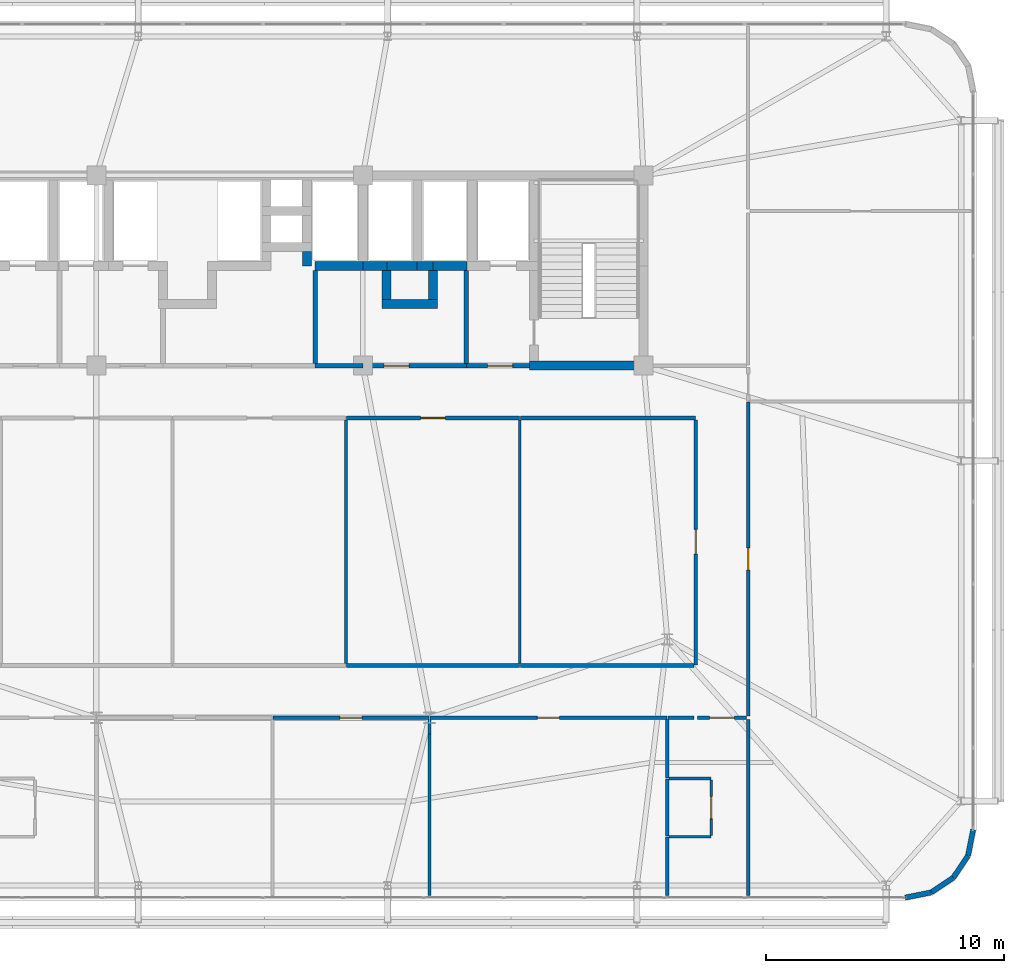
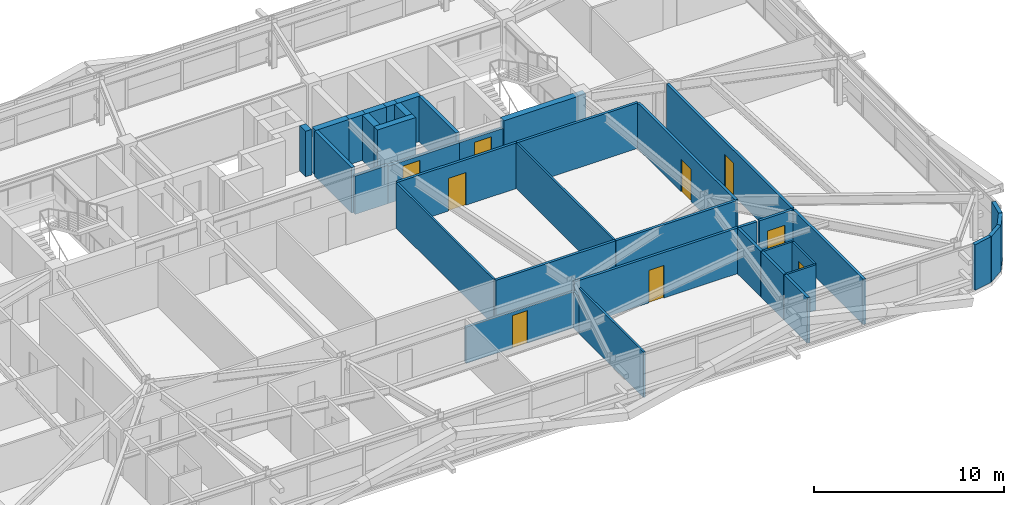
# One storey, part 54 of 58: 40 walls, 9 doors, 9 openings.
"""IFC4 building model written with IfcOpenShell, lengths in metres."""

import ifcopenshell
import ifcopenshell.guid

model = None  # the IFC model being written
_history = None  # IfcOwnerHistory: only IFC2X3 demands one
_inside = {}  # id of a spatial element -> (the spatial element, [elements in it])
_under = {}  # id of a project, library or spatial element -> (it, [spatial elements below it])
_declared = {}  # id of a project -> (the project, [libraries it declares])
_typed = {}  # id of a type object -> (the type object, [elements of that type])
_made_of = {}  # id of a material, layer set ... -> (it, [elements and type objects made of it])


def new_model(schema):
    """Start an empty IFC model of exactly this schema.

    Asked for "IFC4X3", IfcOpenShell would pick the latest addendum, in which some entities
    have other attributes; the version numbers below select the first issue.
    IFC2X3 requires an IfcOwnerHistory on every rooted entity: one is made here for all.
    """
    global model, _history
    if schema == "IFC4X3":
        model = ifcopenshell.file(schema_version=(4, 3, 0, 0))
    else:
        model = ifcopenshell.file(schema=schema)
    _inside.clear()
    _under.clear()
    _declared.clear()
    _typed.clear()
    _made_of.clear()
    _history = None
    if model.schema == "IFC2X3":
        org = make("IfcOrganization", Name="unknown")
        user = make(
            "IfcPersonAndOrganization",
            ThePerson=make("IfcPerson", FamilyName="unknown"),
            TheOrganization=org,
        )
        app = make(
            "IfcApplication",
            ApplicationDeveloper=org,
            Version="unknown",
            ApplicationFullName="unknown",
            ApplicationIdentifier="unknown",
        )
        _history = make(
            "IfcOwnerHistory",
            OwningUser=user,
            OwningApplication=app,
            ChangeAction="ADDED",
            CreationDate=0,
        )
    return model


def make(cls, **values):
    """One entity of the class cls with the attributes given. An attribute that is None is left unset."""
    return model.create_entity(
        cls, **{name: value for name, value in values.items() if value is not None}
    )


def rooted(cls, **values):
    """An entity with a GlobalId (a new one), such as an element, a storey or a relation."""
    return make(cls, GlobalId=ifcopenshell.guid.new(), OwnerHistory=_history, **values)


def si_unit(unit_type, name, prefix=None):
    """IfcSIUnit, for example si_unit("LENGTHUNIT", "METRE", prefix="MILLI")."""
    return make("IfcSIUnit", UnitType=unit_type, Prefix=prefix, Name=name)


def assignment(units):
    """IfcUnitAssignment: the units of a project."""
    return None if units is None else make("IfcUnitAssignment", Units=units)


def point(xyz):
    """IfcCartesianPoint."""
    return None if xyz is None else make("IfcCartesianPoint", Coordinates=xyz)


def direction(xyz):
    """IfcDirection."""
    return None if xyz is None else make("IfcDirection", DirectionRatios=xyz)


def frame(location, z_axis=None, x_axis=None):
    """IfcAxis2Placement3D, a coordinate frame: its origin and axes. An axis left out is left unset."""
    return make(
        "IfcAxis2Placement3D",
        Location=point(location),
        Axis=direction(z_axis),
        RefDirection=direction(x_axis),
    )


def frame_2d(location, x_axis=None):
    """IfcAxis2Placement2D, a coordinate frame in the plane: its origin and x axis."""
    return make(
        "IfcAxis2Placement2D", Location=point(location), RefDirection=direction(x_axis)
    )


def origin():
    """The frame at (0, 0, 0) with its axes left unset."""
    return frame((0.0, 0.0, 0.0))


def place(relative_to, where):
    """IfcLocalPlacement: puts the frame where relative to a parent placement (None: the world)."""
    return make(
        "IfcLocalPlacement", PlacementRelTo=relative_to, RelativePlacement=where
    )


def context(
    kind, dimensions, precision=None, world=None, true_north=None, identifier=None
):
    """IfcGeometricRepresentationContext, for example the 3D "Model" context."""
    return make(
        "IfcGeometricRepresentationContext",
        ContextIdentifier=identifier,
        ContextType=kind,
        CoordinateSpaceDimension=dimensions,
        Precision=precision,
        WorldCoordinateSystem=world,
        TrueNorth=true_north,
    )


def subcontext(parent, identifier, kind, view, scale=None):
    """IfcGeometricRepresentationSubContext, for example "Body" below "Model"."""
    return make(
        "IfcGeometricRepresentationSubContext",
        ContextIdentifier=identifier,
        ContextType=kind,
        ParentContext=parent,
        TargetScale=scale,
        TargetView=view,
    )


def project(units=None, contexts=None):
    """IfcProject with its units and contexts."""
    return rooted(
        "IfcProject",
        Name="project",
        RepresentationContexts=contexts,
        UnitsInContext=assignment(units),
    )


def spatial(cls, under=None, at=None, **own):
    """A site, building, storey or space (cls), placed at a placement, below another one or the project."""
    s = rooted(cls, ObjectPlacement=at, **own)
    if under is not None:
        _under.setdefault(under.id(), (under, []))[1].append(s)
    return s


def profile(cls, at=None, kind="AREA", **sizes):
    """A parametric profile (cls). Its sizes go by their IFC names, for example OverallWidth=200.0."""
    return make(cls, ProfileType=kind, Position=at, **sizes)


def rectangle(**sizes):
    """IfcRectangleProfileDef."""
    return profile("IfcRectangleProfileDef", **sizes)


def extrude(swept, where, along, depth):
    """IfcExtrudedAreaSolid: the profile swept, set in the frame where, extruded along a direction by depth."""
    return make(
        "IfcExtrudedAreaSolid",
        SweptArea=swept,
        Position=where,
        ExtrudedDirection=direction(along),
        Depth=depth,
    )


def shape(context_of_items, identifier, shape_type, items):
    """IfcShapeRepresentation: the items that make up one representation, for example the "Body"."""
    return make(
        "IfcShapeRepresentation",
        ContextOfItems=context_of_items,
        RepresentationIdentifier=identifier,
        RepresentationType=shape_type,
        Items=items,
    )


def source(mapping_origin, context_of_items, identifier, shape_type, items):
    """IfcRepresentationMap: a shape defined once, which mapped items show again and again."""
    return make(
        "IfcRepresentationMap",
        MappingOrigin=mapping_origin,
        MappedRepresentation=shape(context_of_items, identifier, shape_type, items),
    )


def transform(
    local_origin,
    x_axis=None,
    y_axis=None,
    z_axis=None,
    scale=None,
    scale2=None,
    scale3=None,
    uniform=True,
):
    """IfcCartesianTransformationOperator3D, or its non-uniform kind. x_axis, y_axis, z_axis: its Axis1, 2, 3."""
    if uniform:
        return make(
            "IfcCartesianTransformationOperator3D",
            Axis1=direction(x_axis),
            Axis2=direction(y_axis),
            LocalOrigin=point(local_origin),
            Scale=scale,
            Axis3=direction(z_axis),
        )
    return make(
        "IfcCartesianTransformationOperator3DnonUniform",
        Axis1=direction(x_axis),
        Axis2=direction(y_axis),
        LocalOrigin=point(local_origin),
        Scale=scale,
        Axis3=direction(z_axis),
        Scale2=scale2,
        Scale3=scale3,
    )


def mapped(mapping_source, mapping_target):
    """IfcMappedItem: shows the shape of a source again, moved by a transform."""
    return make(
        "IfcMappedItem", MappingSource=mapping_source, MappingTarget=mapping_target
    )


def material(Name=None, Category=None):
    """IfcMaterial."""
    return make("IfcMaterial", Name=Name, Category=Category)


def layer(
    of_material, thickness, ventilated=None, Name=None, Category=None, Priority=None
):
    """IfcMaterialLayer: one layer of a wall or slab, of a material (None: an air gap)."""
    return make(
        "IfcMaterialLayer",
        Material=of_material,
        LayerThickness=thickness,
        IsVentilated=ventilated,
        Name=Name,
        Category=Category,
        Priority=Priority,
    )


def layer_set(layers, Name=None):
    """IfcMaterialLayerSet."""
    return make("IfcMaterialLayerSet", MaterialLayers=layers, LayerSetName=Name)


def made_of(thing, what):
    """Note that an element or type object is made of a material, layer set ...; save() writes the relation."""
    if what is not None:
        _made_of.setdefault(what.id(), (what, []))[1].append(thing)
    return thing


def type_object(cls, material=None, **own):
    """A type object (cls), such as IfcWallType, which elements share."""
    return made_of(rooted(cls, **own), material)


def element(
    cls,
    number,
    at=None,
    inside=None,
    cuts=None,
    type_object=None,
    material=None,
    context=None,
    identifier="Body",
    shape_type=None,
    held_by="IfcProductDefinitionShape",
    body=None,
    shapes=None,
    **own,
):
    """One element of the class cls, such as IfcWall. Its Tag is "e" and its number.

    at: its placement. inside: the storey or other place that contains it. cuts: it is an
    opening in that element (IfcRelVoidsElement). A single representation is given by context,
    identifier, shape_type and body (its items); several are given by shapes. held_by: the class
    of the entity that holds the representations. save() writes the other relations.
    """
    e = rooted(cls, Tag="e%d" % number, ObjectPlacement=at, **own)
    if body is not None:
        shapes = [shape(context, identifier, shape_type, body)]
    if shapes is not None:
        e.Representation = make(held_by, Representations=shapes)
    if inside is not None:
        _inside.setdefault(inside.id(), (inside, []))[1].append(e)
    if cuts is not None:
        rooted(
            "IfcRelVoidsElement", RelatingBuildingElement=cuts, RelatedOpeningElement=e
        )
    if type_object is not None:
        _typed.setdefault(type_object.id(), (type_object, []))[1].append(e)
    return made_of(e, material)


def fill(opening, filler):
    """IfcRelFillsElement: the door or window that sits in an opening."""
    return rooted(
        "IfcRelFillsElement",
        RelatingOpeningElement=opening,
        RelatedBuildingElement=filler,
    )


def aggregate(whole, parts):
    """IfcRelAggregates: a whole, such as a stair, and the parts it consists of."""
    return rooted("IfcRelAggregates", RelatingObject=whole, RelatedObjects=parts)


def save(model, path):
    """Write the relations noted so far, then the file.

    IfcRelAggregates (storeys below a building ...), IfcRelContainedInSpatialStructure (elements
    in a storey), IfcRelDefinesByType, IfcRelAssociatesMaterial and IfcRelDeclares: one each for
    every whole, place, type object, material and project.
    """
    for whole, parts in _under.values():
        aggregate(whole, parts)
    for where, things in _inside.values():
        rooted(
            "IfcRelContainedInSpatialStructure",
            RelatedElements=things,
            RelatingStructure=where,
        )
    for kind, things in _typed.values():
        rooted("IfcRelDefinesByType", RelatedObjects=things, RelatingType=kind)
    for what, things in _made_of.values():
        rooted("IfcRelAssociatesMaterial", RelatedObjects=things, RelatingMaterial=what)
    for by, libraries in _declared.values():
        rooted("IfcRelDeclares", RelatingContext=by, RelatedDefinitions=libraries)
    model.write(path)


model = new_model("IFC4")

# Units and contexts
model_context = context("Model", 3, precision=1e-05, world=origin(), true_north=direction((0.0, 1.0)))
body_context = subcontext(model_context, "Body", "Model", "MODEL_VIEW")
ifc_project = project(units=[si_unit("LENGTHUNIT", "METRE"), si_unit("AREAUNIT", "SQUARE_METRE"), si_unit("VOLUMEUNIT", "CUBIC_METRE"), si_unit("PLANEANGLEUNIT", "RADIAN"), si_unit("MASSUNIT", "GRAM", prefix="KILO")], contexts=[model_context])

# Site, building, storey
site_placement = place(None, origin())
site = spatial("IfcSite", under=ifc_project, at=site_placement, CompositionType="ELEMENT")
building_placement = place(site_placement, origin())
building = spatial("IfcBuilding", under=site, at=building_placement, Name="Taldren Reach Tower", CompositionType="ELEMENT")
storey_placement = place(building_placement, frame((0.0, 0.0, 32.550048828125)))
storey = spatial("IfcBuildingStorey", under=building, at=storey_placement, Name="L09", CompositionType="ELEMENT", Elevation=32.550048828125)

# Walls
ifc_material_1 = material(Name="Pale Champagne Anodised Aluminium Cladding", Category="aluminium")
ifc_layer_1 = layer(ifc_material_1, 0.04, Name="Pale Champagne Anodised Aluminium Cladding", Category="aluminium")
ifc_material_2 = material(Name="Mineral Wool Acoustic Insulation", Category="insulation")
ifc_layer_2 = layer(ifc_material_2, 0.06, Name="Mineral Wool Acoustic Insulation", Category="insulation")
ifc_material_3 = material(Name="Steel Gr 350 (C350L0)", Category="steel")
ifc_layer_3 = layer(ifc_material_3, 0.12, Name="Steel Gr 350 (C350L0)", Category="steel")
ifc_layer_set_1 = layer_set([ifc_layer_1, ifc_layer_2, ifc_layer_3], Name="Pale Champagne Aluminium Cladding and Steel Gr 350 Stud Framing")
wall_type_1 = type_object("IfcWallType", Name="EW-CRN-220", PredefinedType="SOLIDWALL", material=ifc_layer_set_1)
shared_shape_1 = source(origin(), body_context, "Body", "SweptSolid", [
    extrude(rectangle(XDim=1.115966796875, YDim=0.219970703125, at=frame_2d((0.55810546875, 0.0))), origin(), (0.0, 0.0, 1.0), 2.929931640625),
])
for number, where, z_axis, x_axis, name in (
    (1, (62.0, 1.639892578125, 0.0), (0.0, 0.0, 1.0), (0.98077373103, 0.195148375659, 0.0), "Rounded-corner pale-metal facade wall L09-SE1"),
    (2, (63.094482421875, 1.857666015625, 0.0), (0.0, 0.0, 1.0), (0.83137650226, 0.555709556774, 0.0), "Rounded-corner pale-metal facade wall L09-SE2"),
    (3, (64.022216796875, 2.477783203125, 0.0), (0.0, 0.0, 1.0), (0.555709556774, 0.83137650226, 0.0), "Rounded-corner pale-metal facade wall L09-SE3"),
    (4, (64.642333984375, 3.405517578125, 0.0), (0.0, 0.0, 1.0), (0.195148375659, 0.98077373103, 0.0), "Rounded-corner pale-metal facade wall L09-SE4"),
):
    element("IfcWall", number, at=place(storey_placement, frame(where, z_axis=z_axis, x_axis=x_axis)), inside=storey, type_object=wall_type_1, Name=name, PredefinedType="SOLIDWALL", context=body_context, shape_type="MappedRepresentation", body=[
        mapped(shared_shape_1, transform((0.0, 0.0, 0.0), scale=1.0)),
    ])
ifc_material_4 = material(Name="Concrete S80 (80 MPa)", Category="concrete")
ifc_layer_4 = layer(ifc_material_4, 0.3798828125)
ifc_layer_set_2 = layer_set([ifc_layer_4], Name="Concrete S80 (80 MPa)")
wall_type_2 = type_object("IfcWallType", Name="IW-CORE-380", PredefinedType="SHEAR", material=ifc_layer_set_2)
shared_shape_2 = source(origin(), body_context, "Body", "SweptSolid", [
    extrude(rectangle(XDim=4.97998046875, YDim=0.3798828125, at=frame_2d((2.489990234375, 0.0))), origin(), (0.0, 0.0, 1.0), 2.929931640625),
])
wall_1_placement = place(storey_placement, frame((46.2099609375, 24.0, 0.0), z_axis=(0.0, 0.0, 1.0), x_axis=(1.0, 0.0, 0.0)))
element("IfcWall", 5, at=wall_1_placement, inside=storey, type_object=wall_type_2, Name="Rear Core Shear Wall W-INT-L09-010", PredefinedType="SHEAR", context=body_context, shape_type="MappedRepresentation", body=[
    mapped(shared_shape_2, transform((0.0, 0.0, 0.0), scale=1.0)),
])
ifc_material_5 = material(Name="Concrete S50 (50 MPa)", Category="concrete")
ifc_layer_5 = layer(ifc_material_5, 0.199951171875)
ifc_layer_set_3 = layer_set([ifc_layer_5], Name="Concrete S50 (50 MPa)")
wall_type_3 = type_object("IfcWallType", Name="IW-CORE-200", PredefinedType="SOLIDWALL", material=ifc_layer_set_3)
shared_shape_3 = source(origin(), body_context, "Body", "SweptSolid", [
    extrude(rectangle(XDim=3.909912109375, YDim=0.199951171875, at=frame_2d((1.955078125, 0.0))), origin(), (0.0, 0.0, 1.0), 2.929931640625),
])
for number, where, z_axis, x_axis, name in (
    (6, (43.550048828125, 28.010009765625, 0.0), (0.0, 0.0, 1.0), (0.0, -1.0, 0.0), "Rear Core Shear Wall W-INT-L09-013"),
    (7, (37.199951171875, 28.010009765625, 0.0), (0.0, 0.0, 1.0), (0.0, -1.0, 0.0), "Rear Core Shear Wall W-INT-L09-042"),
):
    element("IfcWall", number, at=place(storey_placement, frame(where, z_axis=z_axis, x_axis=x_axis)), inside=storey, type_object=wall_type_3, Name=name, PredefinedType="SOLIDWALL", context=body_context, shape_type="MappedRepresentation", body=[
        mapped(shared_shape_3, transform((0.0, 0.0, 0.0), scale=1.0)),
    ])

# Wall, opening, door
shared_shape_4 = source(origin(), body_context, "Body", "SweptSolid", [
    extrude(rectangle(XDim=2.659912109375, YDim=0.199951171875, at=frame_2d((1.330078125, 0.0))), origin(), (0.0, 0.0, 1.0), 2.39697265625),
])
wall_2_placement = place(storey_placement, frame((43.550048828125, 24.0, 0.0), z_axis=(0.0, 0.0, 1.0), x_axis=(1.0, 0.0, 0.0)))
wall_2 = element("IfcWall", 8, at=wall_2_placement, inside=storey, type_object=wall_type_3, Name="Rear Core Shear Wall W-INT-L09-014", PredefinedType="SOLIDWALL", context=body_context, shape_type="MappedRepresentation", body=[
    mapped(shared_shape_4, transform((0.0, 0.0, 0.0), scale=1.0)),
])
shared_shape_5 = source(origin(), body_context, "Body", "SweptSolid", [
    extrude(rectangle(XDim=1.050048828125, YDim=2.10009765625, at=frame_2d((0.52490234375, 1.050048828125))), frame((0.0, 0.10986328125, 0.0), z_axis=(0.0, -1.0, 0.0), x_axis=(1.0, 0.0, 0.0)), (0.0, 0.0, 1.0), 0.219970703125),
])
opening_1_placement = place(wall_2_placement, frame((0.89990234375, 0.0, 0.0)))
opening_1 = element("IfcOpeningElement", 9, at=opening_1_placement, cuts=wall_2, Name="Opening DF-105", PredefinedType="OPENING", context=body_context, shape_type="MappedRepresentation", body=[
    mapped(shared_shape_5, transform((0.0, 0.0, 0.0), scale=1.0)),
])
ifc_material_6 = material(Name="Fire-Rated Care and Stair Exit Door")
door_type_1 = type_object("IfcDoorType", Name="ID-FIRE-105", OperationType="NOTDEFINED", PredefinedType="DOOR", material=ifc_material_6)
shared_shape_6 = source(origin(), body_context, "Body", "SweptSolid", [
    extrude(rectangle(XDim=1.050048828125, YDim=2.10009765625, at=frame_2d((0.52490234375, 1.050048828125))), frame((0.0, 0.02490234375, 0.0), z_axis=(0.0, -1.0, 0.0), x_axis=(1.0, 0.0, 0.0)), (0.0, 0.0, 1.0), 0.050048828125),
])
door_1_placement = place(opening_1_placement, origin())
door_1 = element("IfcDoor", 10, at=door_1_placement, inside=storey, type_object=door_type_1, Name="Interior Door DR-L09-004", OperationType="SINGLE_SWING_LEFT", OverallHeight=2.10009765625, OverallWidth=1.050048828125, PredefinedType="DOOR", context=body_context, shape_type="MappedRepresentation", body=[
    mapped(shared_shape_6, transform((0.0, 0.0, 0.0), scale=1.0)),
])
fill(opening_1, door_1)

# Walls
shared_shape_7 = source(origin(), body_context, "Body", "SweptSolid", [
    extrude(rectangle(XDim=1.219970703125, YDim=0.3798828125, at=frame_2d((0.60986328125, 0.0))), origin(), (0.0, 0.0, 1.0), 2.929931640625),
])
for number, where, z_axis, x_axis, name in (
    (11, (40.199951171875, 28.010009765625, 0.0), (0.0, 0.0, 1.0), (0.0, -1.0, 0.0), "Rear Core Shear Wall W-INT-L09-027"),
    (12, (42.14990234375, 26.7900390625, 0.0), (0.0, 0.0, 1.0), (0.0, 1.0, 0.0), "Rear Core Shear Wall W-INT-L09-028"),
):
    element("IfcWall", number, at=place(storey_placement, frame(where, z_axis=z_axis, x_axis=x_axis)), inside=storey, type_object=wall_type_2, Name=name, PredefinedType="SHEAR", context=body_context, shape_type="MappedRepresentation", body=[
        mapped(shared_shape_7, transform((0.0, 0.0, 0.0), scale=1.0)),
    ])
shared_shape_8 = source(origin(), body_context, "Body", "SweptSolid", [
    extrude(rectangle(XDim=1.320068359375, YDim=0.3798828125, at=frame_2d((0.66015625, 0.0))), origin(), (0.0, 0.0, 1.0), 2.929931640625),
])
wall_3_placement = place(storey_placement, frame((41.52001953125, 28.199951171875, 0.0), z_axis=(0.0, 0.0, 1.0), x_axis=(-1.0, 0.0, 0.0)))
element("IfcWall", 13, at=wall_3_placement, inside=storey, type_object=wall_type_2, Name="Rear Core Shear Wall W-INT-L09-024", PredefinedType="SHEAR", context=body_context, shape_type="MappedRepresentation", body=[
    mapped(shared_shape_8, transform((0.0, 0.0, 0.0), scale=1.0)),
])
shared_shape_9 = source(origin(), body_context, "Body", "SweptSolid", [
    extrude(rectangle(XDim=0.669921875, YDim=0.3798828125, at=frame_2d((0.3349609375, 0.0))), origin(), (0.0, 0.0, 1.0), 2.929931640625),
])
wall_4_placement = place(storey_placement, frame((42.14990234375, 28.199951171875, 0.0), z_axis=(0.0, 0.0, 1.0), x_axis=(-1.0, 0.0, 0.0)))
element("IfcWall", 14, at=wall_4_placement, inside=storey, type_object=wall_type_2, Name="Rear Core Shear Wall W-INT-L09-025", PredefinedType="SHEAR", context=body_context, shape_type="MappedRepresentation", body=[
    mapped(shared_shape_9, transform((0.0, 0.0, 0.0), scale=1.0)),
])
shared_shape_10 = source(origin(), body_context, "Body", "SweptSolid", [
    extrude(rectangle(XDim=2.330078125, YDim=0.3798828125, at=frame_2d((1.1650390625, 0.0))), origin(), (0.0, 0.0, 1.0), 2.929931640625),
])
wall_5_placement = place(storey_placement, frame((40.010009765625, 26.60009765625, 0.0), z_axis=(0.0, 0.0, 1.0), x_axis=(1.0, 0.0, 0.0)))
element("IfcWall", 15, at=wall_5_placement, inside=storey, type_object=wall_type_2, Name="Rear Core Shear Wall W-INT-L09-026", PredefinedType="SHEAR", context=body_context, shape_type="MappedRepresentation", body=[
    mapped(shared_shape_10, transform((0.0, 0.0, 0.0), scale=1.0)),
])
shared_shape_11 = source(origin(), body_context, "Body", "SweptSolid", [
    extrude(rectangle(XDim=0.610107421875, YDim=0.3798828125, at=frame_2d((0.30517578125, 0.0))), origin(), (0.0, 0.0, 1.0), 2.929931640625),
])
wall_6_placement = place(storey_placement, frame((36.85009765625, 28.81005859375, 0.0), z_axis=(0.0, 0.0, 1.0), x_axis=(0.0, -1.0, 0.0)))
element("IfcWall", 16, at=wall_6_placement, inside=storey, type_object=wall_type_2, Name="Rear Core Shear Wall W-INT-L09-037", PredefinedType="SHEAR", context=body_context, shape_type="MappedRepresentation", body=[
    mapped(shared_shape_11, transform((0.0, 0.0, 0.0), scale=1.0)),
])
shared_shape_12 = source(origin(), body_context, "Body", "SweptSolid", [
    extrude(rectangle(XDim=2.02001953125, YDim=0.3798828125, at=frame_2d((1.010009765625, 0.0))), origin(), (0.0, 0.0, 1.0), 2.929931640625),
])
wall_7_placement = place(storey_placement, frame((37.179931640625, 28.199951171875, 0.0), z_axis=(0.0, 0.0, 1.0), x_axis=(1.0, 0.0, 0.0)))
element("IfcWall", 17, at=wall_7_placement, inside=storey, type_object=wall_type_2, Name="Rear Core Shear Wall W-INT-L09-038", PredefinedType="SHEAR", context=body_context, shape_type="MappedRepresentation", body=[
    mapped(shared_shape_12, transform((0.0, 0.0, 0.0), scale=1.0)),
])
shared_shape_13 = source(origin(), body_context, "Body", "SweptSolid", [
    extrude(rectangle(XDim=1.02001953125, YDim=0.3798828125, at=frame_2d((0.510009765625, 0.0))), origin(), (0.0, 0.0, 1.0), 2.929931640625),
])
wall_8_placement = place(storey_placement, frame((39.199951171875, 28.199951171875, 0.0), z_axis=(0.0, 0.0, 1.0), x_axis=(1.0, 0.0, 0.0)))
element("IfcWall", 18, at=wall_8_placement, inside=storey, type_object=wall_type_2, Name="Rear Core Shear Wall W-INT-L09-040", PredefinedType="SHEAR", context=body_context, shape_type="MappedRepresentation", body=[
    mapped(shared_shape_13, transform((0.0, 0.0, 0.0), scale=1.0)),
])
shared_shape_14 = source(origin(), body_context, "Body", "SweptSolid", [
    extrude(rectangle(XDim=1.440185546875, YDim=0.3798828125, at=frame_2d((0.72021484375, 0.0))), origin(), (0.0, 0.0, 1.0), 2.929931640625),
])
wall_9_placement = place(storey_placement, frame((42.1298828125, 28.199951171875, 0.0), z_axis=(0.0, 0.0, 1.0), x_axis=(1.0, 0.0, 0.0)))
element("IfcWall", 19, at=wall_9_placement, inside=storey, type_object=wall_type_2, Name="Rear Core Shear Wall W-INT-L09-041", PredefinedType="SHEAR", context=body_context, shape_type="MappedRepresentation", body=[
    mapped(shared_shape_14, transform((0.0, 0.0, 0.0), scale=1.0)),
])

# Wall, opening, door
shared_shape_15 = source(origin(), body_context, "Body", "SweptSolid", [
    extrude(rectangle(XDim=4.35009765625, YDim=0.199951171875, at=frame_2d((2.175048828125, 0.0))), origin(), (0.0, 0.0, 1.0), 2.39697265625),
])
wall_10_placement = place(storey_placement, frame((43.550048828125, 24.0, 0.0), z_axis=(0.0, 0.0, 1.0), x_axis=(-1.0, 0.0, 0.0)))
wall_10 = element("IfcWall", 20, at=wall_10_placement, inside=storey, type_object=wall_type_3, Name="Rear Core Shear Wall W-INT-L09-044", PredefinedType="SOLIDWALL", context=body_context, shape_type="MappedRepresentation", body=[
    mapped(shared_shape_15, transform((0.0, 0.0, 0.0), scale=1.0)),
])
opening_2_placement = place(wall_10_placement, frame((2.39990234375, 0.0, 0.0)))
opening_2 = element("IfcOpeningElement", 21, at=opening_2_placement, cuts=wall_10, Name="Opening DF-105", PredefinedType="OPENING", context=body_context, shape_type="MappedRepresentation", body=[
    mapped(shared_shape_5, transform((0.0, 0.0, 0.0), scale=1.0)),
])
door_2_placement = place(opening_2_placement, frame((1.050048828125, 0.0, 0.0), z_axis=(0.0, 0.0, 1.0), x_axis=(-1.0, 0.0, 0.0)))
door_2 = element("IfcDoor", 22, at=door_2_placement, inside=storey, type_object=door_type_1, Name="Interior Door DR-L09-007", OperationType="SINGLE_SWING_RIGHT", OverallHeight=2.10009765625, OverallWidth=1.050048828125, PredefinedType="DOOR", context=body_context, shape_type="MappedRepresentation", body=[
    mapped(shared_shape_6, transform((0.0, 0.0, 0.0), scale=1.0)),
])
fill(opening_2, door_2)

# Wall
shared_shape_16 = source(origin(), body_context, "Body", "SweptSolid", [
    extrude(rectangle(XDim=2.0, YDim=0.199951171875, at=frame_2d((1.0, 0.0))), origin(), (0.0, 0.0, 1.0), 2.469970703125),
])
wall_11_placement = place(storey_placement, frame((39.199951171875, 24.0, 0.0), z_axis=(0.0, 0.0, 1.0), x_axis=(-1.0, 0.0, 0.0)))
element("IfcWall", 23, at=wall_11_placement, inside=storey, type_object=wall_type_3, Name="Rear Core Shear Wall W-INT-L09-044 part 2", PredefinedType="SOLIDWALL", context=body_context, shape_type="MappedRepresentation", body=[
    mapped(shared_shape_16, transform((0.0, 0.0, 0.0), scale=1.0)),
])

# Wall, opening, door
ifc_material_7 = material(Name="Fire-Rated Acoustic Plasterboard Stud Wall", Category="gypsum")
ifc_layer_6 = layer(ifc_material_7, 0.159912109375)
ifc_layer_set_4 = layer_set([ifc_layer_6], Name="Fire-Rated Acoustic Plasterboard Stud Wall")
wall_type_4 = type_object("IfcWallType", Name="IW-FIRE-160", PredefinedType="PARTITIONING", material=ifc_layer_set_4)
shared_shape_17 = source(origin(), body_context, "Body", "SweptSolid", [
    extrude(rectangle(XDim=10.2998046875, YDim=0.159912109375, at=frame_2d((5.14990234375, 0.0))), origin(), (0.0, 0.0, 1.0), 2.929931640625),
])
wall_12_placement = place(storey_placement, frame((53.199951171875, 11.420166015625, 0.0), z_axis=(0.0, 0.0, 1.0), x_axis=(0.0, 1.0, 0.0)))
wall_12 = element("IfcWall", 24, at=wall_12_placement, inside=storey, type_object=wall_type_4, Name="Interior Partition Wall W-INT-L09-050", PredefinedType="PARTITIONING", context=body_context, shape_type="MappedRepresentation", body=[
    mapped(shared_shape_17, transform((0.0, 0.0, 0.0), scale=1.0)),
])
shared_shape_18 = source(origin(), body_context, "Body", "SweptSolid", [
    extrude(rectangle(XDim=1.050048828125, YDim=2.10009765625, at=frame_2d((0.52490234375, 1.050048828125))), frame((0.0, 0.08984375, 0.0), z_axis=(0.0, -1.0, 0.0), x_axis=(1.0, 0.0, 0.0)), (0.0, 0.0, 1.0), 0.179931640625),
])
opening_3_placement = place(wall_12_placement, frame((4.65478515625, 0.0, 0.0)))
opening_3 = element("IfcOpeningElement", 25, at=opening_3_placement, cuts=wall_12, Name="Opening DF-105", PredefinedType="OPENING", context=body_context, shape_type="MappedRepresentation", body=[
    mapped(shared_shape_18, transform((0.0, 0.0, 0.0), scale=1.0)),
])
door_3_placement = place(opening_3_placement, origin())
door_3 = element("IfcDoor", 26, at=door_3_placement, inside=storey, type_object=door_type_1, Name="Interior Door DR-L09-012", OperationType="SINGLE_SWING_LEFT", OverallHeight=2.10009765625, OverallWidth=1.050048828125, PredefinedType="DOOR", context=body_context, shape_type="MappedRepresentation", body=[
    mapped(shared_shape_6, transform((0.0, 0.0, 0.0), scale=1.0)),
])
fill(opening_3, door_3)

shared_shape_19 = source(origin(), body_context, "Body", "SweptSolid", [
    extrude(rectangle(XDim=2.0400390625, YDim=0.159912109375, at=frame_2d((1.02001953125, 0.0))), origin(), (0.0, 0.0, 1.0), 2.929931640625),
])
wall_13_placement = place(storey_placement, frame((55.320068359375, 9.199951171875, 0.0), z_axis=(0.0, 0.0, 1.0), x_axis=(-1.0, 0.0, 0.0)))
wall_13 = element("IfcWall", 27, at=wall_13_placement, inside=storey, type_object=wall_type_4, Name="Interior Partition Wall W-INT-L09-053", PredefinedType="PARTITIONING", context=body_context, shape_type="MappedRepresentation", body=[
    mapped(shared_shape_19, transform((0.0, 0.0, 0.0), scale=1.0)),
])
opening_4_placement = place(wall_13_placement, frame((0.4951171875, 0.0, 0.0)))
opening_4 = element("IfcOpeningElement", 28, at=opening_4_placement, cuts=wall_13, Name="Opening DF-105", PredefinedType="OPENING", context=body_context, shape_type="MappedRepresentation", body=[
    mapped(shared_shape_18, transform((0.0, 0.0, 0.0), scale=1.0)),
])
door_4_placement = place(opening_4_placement, origin())
door_4 = element("IfcDoor", 29, at=door_4_placement, inside=storey, type_object=door_type_1, Name="Interior Door DR-L09-014", OperationType="SINGLE_SWING_LEFT", OverallHeight=2.10009765625, OverallWidth=1.050048828125, PredefinedType="DOOR", context=body_context, shape_type="MappedRepresentation", body=[
    mapped(shared_shape_6, transform((0.0, 0.0, 0.0), scale=1.0)),
])
fill(opening_4, door_4)

# Wall
shared_shape_20 = source(origin(), body_context, "Body", "SweptSolid", [
    extrude(rectangle(XDim=1.099853515625, YDim=0.159912109375, at=frame_2d((0.5498046875, 0.0))), origin(), (0.0, 0.0, 1.0), 2.929931640625),
])
wall_14_placement = place(storey_placement, frame((53.1201171875, 9.199951171875, 0.0), z_axis=(0.0, 0.0, 1.0), x_axis=(-1.0, 0.0, 0.0)))
element("IfcWall", 30, at=wall_14_placement, inside=storey, type_object=wall_type_4, Name="Interior Partition Wall W-INT-L09-073", PredefinedType="PARTITIONING", context=body_context, shape_type="MappedRepresentation", body=[
    mapped(shared_shape_20, transform((0.0, 0.0, 0.0), scale=1.0)),
])

# Wall, opening, door
ifc_material_8 = material(Name="Insulated Residential Stud Partition", Category="gypsum")
ifc_layer_7 = layer(ifc_material_8, 0.1201171875)
ifc_layer_set_5 = layer_set([ifc_layer_7], Name="Insulated Residential Stud Partition")
wall_type_5 = type_object("IfcWallType", Name="IW-PART-120", PredefinedType="PARTITIONING", material=ifc_layer_set_5)
shared_shape_21 = source(origin(), body_context, "Body", "SweptSolid", [
    extrude(rectangle(XDim=2.330078125, YDim=0.1201171875, at=frame_2d((1.1650390625, 0.0))), origin(), (0.0, 0.0, 1.0), 2.929931640625),
])
wall_15_placement = place(storey_placement, frame((53.85009765625, 4.260009765625, 0.0), z_axis=(0.0, 0.0, 1.0), x_axis=(0.0, 1.0, 0.0)))
wall_15 = element("IfcWall", 31, at=wall_15_placement, inside=storey, type_object=wall_type_5, Name="Interior Partition Wall W-INT-L09-097", PredefinedType="PARTITIONING", context=body_context, shape_type="MappedRepresentation", body=[
    mapped(shared_shape_21, transform((0.0, 0.0, 0.0), scale=1.0)),
])
shared_shape_22 = source(origin(), body_context, "Body", "SweptSolid", [
    extrude(rectangle(XDim=0.919921875, YDim=2.10009765625, at=frame_2d((0.4599609375, 1.050048828125))), frame((0.0, 0.070068359375, 0.0), z_axis=(0.0, -1.0, 0.0), x_axis=(1.0, 0.0, 0.0)), (0.0, 0.0, 1.0), 0.14013671875),
])
opening_5_placement = place(wall_15_placement, frame((0.705078125, 0.0, 0.0)))
opening_5 = element("IfcOpeningElement", 32, at=opening_5_placement, cuts=wall_15, Name="Opening DI-092", PredefinedType="OPENING", context=body_context, shape_type="MappedRepresentation", body=[
    mapped(shared_shape_22, transform((0.0, 0.0, 0.0), scale=1.0)),
])
ifc_material_9 = material(Name="Solid-Core Timber Suite Door", Category="wood")
door_type_2 = type_object("IfcDoorType", Name="ID-INT-092", OperationType="NOTDEFINED", PredefinedType="DOOR", material=ifc_material_9)
shared_shape_23 = source(origin(), body_context, "Body", "SweptSolid", [
    extrude(rectangle(XDim=0.919921875, YDim=2.10009765625, at=frame_2d((0.4599609375, 1.050048828125))), frame((0.0, 0.02490234375, 0.0), z_axis=(0.0, -1.0, 0.0), x_axis=(1.0, 0.0, 0.0)), (0.0, 0.0, 1.0), 0.050048828125),
])
door_5_placement = place(opening_5_placement, origin())
door_5 = element("IfcDoor", 33, at=door_5_placement, inside=storey, type_object=door_type_2, Name="Interior Door DR-L09-029", OperationType="SINGLE_SWING_RIGHT", OverallHeight=2.10009765625, OverallWidth=0.919921875, PredefinedType="DOOR", context=body_context, shape_type="MappedRepresentation", body=[
    mapped(shared_shape_23, transform((0.0, 0.0, 0.0), scale=1.0)),
])
fill(opening_5, door_5)

# Walls
shared_shape_24 = source(origin(), body_context, "Body", "SweptSolid", [
    extrude(rectangle(XDim=1.749755859375, YDim=0.1201171875, at=frame_2d((0.875, 0.0))), origin(), (0.0, 0.0, 1.0), 2.929931640625),
])
for number, where, z_axis, x_axis, name in (
    (34, (52.080078125, 4.199951171875, 0.0), (0.0, 0.0, 1.0), (1.0, 0.0, 0.0), "Interior Partition Wall W-INT-L09-098"),
    (35, (53.829833984375, 6.64990234375, 0.0), (0.0, 0.0, 1.0), (-1.0, 0.0, 0.0), "Interior Partition Wall W-INT-L09-099"),
):
    element("IfcWall", number, at=place(storey_placement, frame(where, z_axis=z_axis, x_axis=x_axis)), inside=storey, type_object=wall_type_5, Name=name, PredefinedType="PARTITIONING", context=body_context, shape_type="MappedRepresentation", body=[
        mapped(shared_shape_24, transform((0.0, 0.0, 0.0), scale=1.0)),
    ])
shared_shape_25 = source(origin(), body_context, "Body", "SweptSolid", [
    extrude(rectangle(XDim=2.40966796875, YDim=0.159912109375, at=frame_2d((1.204833984375, 0.0))), origin(), (0.0, 0.0, 1.0), 2.929931640625),
])
wall_16_placement = place(storey_placement, frame((52.0, 6.6298828125, 0.0), z_axis=(0.0, 0.0, 1.0), x_axis=(0.0, -1.0, 0.0)))
element("IfcWall", 36, at=wall_16_placement, inside=storey, type_object=wall_type_4, Name="Interior Partition Wall W-INT-L09-096", PredefinedType="PARTITIONING", context=body_context, shape_type="MappedRepresentation", body=[
    mapped(shared_shape_25, transform((0.0, 0.0, 0.0), scale=1.0)),
])
shared_shape_26 = source(origin(), body_context, "Body", "SweptSolid", [
    extrude(rectangle(XDim=7.385986328125, YDim=0.159912109375, at=frame_2d((3.69287109375, 0.0))), origin(), (0.0, 0.0, 1.0), 2.929931640625),
])
wall_17_placement = place(storey_placement, frame((55.39990234375, 9.117919921875, 0.0), z_axis=(0.0, 0.0, 1.0), x_axis=(0.0, -1.0, 0.0)))
element("IfcWall", 37, at=wall_17_placement, inside=storey, type_object=wall_type_4, Name="Interior Partition Wall W-INT-L09-100", PredefinedType="PARTITIONING", context=body_context, shape_type="MappedRepresentation", body=[
    mapped(shared_shape_26, transform((0.0, 0.0, 0.0), scale=1.0)),
])
shared_shape_27 = source(origin(), body_context, "Body", "SweptSolid", [
    extrude(rectangle(XDim=2.44970703125, YDim=0.159912109375, at=frame_2d((1.224853515625, 0.0))), origin(), (0.0, 0.0, 1.0), 2.929931640625),
])
wall_18_placement = place(storey_placement, frame((52.0, 4.1796875, 0.0), z_axis=(0.0, 0.0, 1.0), x_axis=(0.0, -1.0, 0.0)))
element("IfcWall", 38, at=wall_18_placement, inside=storey, type_object=wall_type_4, Name="Interior Partition Wall W-INT-L09-094", PredefinedType="PARTITIONING", context=body_context, shape_type="MappedRepresentation", body=[
    mapped(shared_shape_27, transform((0.0, 0.0, 0.0), scale=1.0)),
])
shared_shape_28 = source(origin(), body_context, "Body", "SweptSolid", [
    extrude(rectangle(XDim=2.449951171875, YDim=0.159912109375, at=frame_2d((1.22509765625, 0.0))), origin(), (0.0, 0.0, 1.0), 2.929931640625),
])
wall_19_placement = place(storey_placement, frame((52.0, 9.1201171875, 0.0), z_axis=(0.0, 0.0, 1.0), x_axis=(0.0, -1.0, 0.0)))
element("IfcWall", 39, at=wall_19_placement, inside=storey, type_object=wall_type_4, Name="Interior Partition Wall W-INT-L09-095", PredefinedType="PARTITIONING", context=body_context, shape_type="MappedRepresentation", body=[
    mapped(shared_shape_28, transform((0.0, 0.0, 0.0), scale=1.0)),
])

# Wall, opening, door
shared_shape_29 = source(origin(), body_context, "Body", "SweptSolid", [
    extrude(rectangle(XDim=9.95947265625, YDim=0.159912109375, at=frame_2d((4.979736328125, 0.0))), origin(), (0.0, 0.0, 1.0), 2.929931640625),
])
wall_20_placement = place(storey_placement, frame((51.979736328125, 9.199951171875, 0.0), z_axis=(0.0, 0.0, 1.0), x_axis=(-1.0, 0.0, 0.0)))
wall_20 = element("IfcWall", 40, at=wall_20_placement, inside=storey, type_object=wall_type_4, Name="Interior Partition Wall W-INT-L09-072", PredefinedType="PARTITIONING", context=body_context, shape_type="MappedRepresentation", body=[
    mapped(shared_shape_29, transform((0.0, 0.0, 0.0), scale=1.0)),
])
shared_shape_30 = source(origin(), body_context, "Body", "SweptSolid", [
    extrude(rectangle(XDim=0.919921875, YDim=2.10009765625, at=frame_2d((0.4599609375, 1.050048828125))), frame((0.0, 0.08984375, 0.0), z_axis=(0.0, -1.0, 0.0), x_axis=(1.0, 0.0, 0.0)), (0.0, 0.0, 1.0), 0.179931640625),
])
opening_6_placement = place(wall_20_placement, frame((4.519775390625, 0.0, 0.0)))
opening_6 = element("IfcOpeningElement", 41, at=opening_6_placement, cuts=wall_20, Name="Opening DI-092", PredefinedType="OPENING", context=body_context, shape_type="MappedRepresentation", body=[
    mapped(shared_shape_30, transform((0.0, 0.0, 0.0), scale=1.0)),
])
door_6_placement = place(opening_6_placement, origin())
door_6 = element("IfcDoor", 42, at=door_6_placement, inside=storey, type_object=door_type_2, Name="Interior Door DR-L09-026", OperationType="SINGLE_SWING_LEFT", OverallHeight=2.10009765625, OverallWidth=0.919921875, PredefinedType="DOOR", context=body_context, shape_type="MappedRepresentation", body=[
    mapped(shared_shape_23, transform((0.0, 0.0, 0.0), scale=1.0)),
])
fill(opening_6, door_6)

# Walls
shared_shape_31 = source(origin(), body_context, "Body", "SweptSolid", [
    extrude(rectangle(XDim=0.591796875, YDim=0.1201171875, at=frame_2d((0.2958984375, 0.0))), origin(), (0.0, 0.0, 1.0), 2.39697265625),
])
wall_21_placement = place(storey_placement, frame((42.0, 9.1201171875, 0.0), z_axis=(0.0, 0.0, 1.0), x_axis=(0.0, -1.0, 0.0)))
element("IfcWall", 43, at=wall_21_placement, inside=storey, type_object=wall_type_5, Name="Interior Partition Wall W-INT-L09-093", PredefinedType="PARTITIONING", context=body_context, shape_type="MappedRepresentation", body=[
    mapped(shared_shape_31, transform((0.0, 0.0, 0.0), scale=1.0)),
])
shared_shape_32 = source(origin(), body_context, "Body", "SweptSolid", [
    extrude(rectangle(XDim=6.79833984375, YDim=0.1201171875, at=frame_2d((3.399169921875, 0.0))), origin(), (0.0, 0.0, 1.0), 2.929931640625),
])
wall_22_placement = place(storey_placement, frame((42.0, 8.5283203125, 0.0), z_axis=(0.0, 0.0, 1.0), x_axis=(0.0, -1.0, 0.0)))
element("IfcWall", 44, at=wall_22_placement, inside=storey, type_object=wall_type_5, Name="Interior Partition Wall W-INT-L09-093 part 2", PredefinedType="PARTITIONING", context=body_context, shape_type="MappedRepresentation", body=[
    mapped(shared_shape_32, transform((0.0, 0.0, 0.0), scale=1.0)),
])

# Wall, opening, door
shared_shape_33 = source(origin(), body_context, "Body", "SweptSolid", [
    extrude(rectangle(XDim=7.259521484375, YDim=0.159912109375, at=frame_2d((3.6298828125, 0.0))), origin(), (0.0, 0.0, 1.0), 2.929931640625),
])
wall_23_placement = place(storey_placement, frame((45.77978515625, 21.800048828125, 0.0), z_axis=(0.0, 0.0, 1.0), x_axis=(-1.0, 0.0, 0.0)))
wall_23 = element("IfcWall", 45, at=wall_23_placement, inside=storey, type_object=wall_type_4, Name="Interior Partition Wall W-INT-L09-049", PredefinedType="PARTITIONING", context=body_context, shape_type="MappedRepresentation", body=[
    mapped(shared_shape_33, transform((0.0, 0.0, 0.0), scale=1.0)),
])
opening_7_placement = place(wall_23_placement, frame((3.104736328125, 0.0, 0.0)))
opening_7 = element("IfcOpeningElement", 46, at=opening_7_placement, cuts=wall_23, Name="Opening DF-105", PredefinedType="OPENING", context=body_context, shape_type="MappedRepresentation", body=[
    mapped(shared_shape_18, transform((0.0, 0.0, 0.0), scale=1.0)),
])
door_7_placement = place(opening_7_placement, origin())
door_7 = element("IfcDoor", 47, at=door_7_placement, inside=storey, type_object=door_type_1, Name="Interior Door DR-L09-011", OperationType="SINGLE_SWING_RIGHT", OverallHeight=2.10009765625, OverallWidth=1.050048828125, PredefinedType="DOOR", context=body_context, shape_type="MappedRepresentation", body=[
    mapped(shared_shape_6, transform((0.0, 0.0, 0.0), scale=1.0)),
])
fill(opening_7, door_7)

# Walls
wall_24_placement = place(storey_placement, frame((38.520263671875, 11.39990234375, 0.0), z_axis=(0.0, 0.0, 1.0), x_axis=(1.0, 0.0, 0.0)))
element("IfcWall", 48, at=wall_24_placement, inside=storey, type_object=wall_type_4, Name="Interior Partition Wall W-INT-L09-065", PredefinedType="PARTITIONING", context=body_context, shape_type="MappedRepresentation", body=[
    mapped(shared_shape_33, transform((0.0, 0.0, 0.0), scale=1.0)),
])
shared_shape_34 = source(origin(), body_context, "Body", "SweptSolid", [
    extrude(rectangle(XDim=7.359375, YDim=0.159912109375, at=frame_2d((3.6796875, 0.0))), origin(), (0.0, 0.0, 1.0), 2.929931640625),
])
wall_25_placement = place(storey_placement, frame((53.1796875, 21.800048828125, 0.0), z_axis=(0.0, 0.0, 1.0), x_axis=(-1.0, 0.0, 0.0)))
element("IfcWall", 49, at=wall_25_placement, inside=storey, type_object=wall_type_4, Name="Interior Partition Wall W-INT-L09-051", PredefinedType="PARTITIONING", context=body_context, shape_type="MappedRepresentation", body=[
    mapped(shared_shape_34, transform((0.0, 0.0, 0.0), scale=1.0)),
])

# Wall, opening, door
shared_shape_35 = source(origin(), body_context, "Body", "SweptSolid", [
    extrude(rectangle(XDim=13.19970703125, YDim=0.159912109375, at=frame_2d((6.599853515625, 0.0))), origin(), (0.0, 0.0, 1.0), 2.929931640625),
])
wall_26_placement = place(storey_placement, frame((55.39990234375, 22.479736328125, 0.0), z_axis=(0.0, 0.0, 1.0), x_axis=(0.0, -1.0, 0.0)))
wall_26 = element("IfcWall", 50, at=wall_26_placement, inside=storey, type_object=wall_type_4, Name="Interior Partition Wall W-INT-L09-058", PredefinedType="PARTITIONING", context=body_context, shape_type="MappedRepresentation", body=[
    mapped(shared_shape_35, transform((0.0, 0.0, 0.0), scale=1.0)),
])
opening_8_placement = place(wall_26_placement, frame((6.139892578125, 0.0, 0.0)))
opening_8 = element("IfcOpeningElement", 51, at=opening_8_placement, cuts=wall_26, Name="Opening DI-092", PredefinedType="OPENING", context=body_context, shape_type="MappedRepresentation", body=[
    mapped(shared_shape_30, transform((0.0, 0.0, 0.0), scale=1.0)),
])
door_8_placement = place(opening_8_placement, origin())
door_8 = element("IfcDoor", 52, at=door_8_placement, inside=storey, type_object=door_type_2, Name="Interior Door DR-L09-019", OperationType="SINGLE_SWING_RIGHT", OverallHeight=2.10009765625, OverallWidth=0.919921875, PredefinedType="DOOR", context=body_context, shape_type="MappedRepresentation", body=[
    mapped(shared_shape_23, transform((0.0, 0.0, 0.0), scale=1.0)),
])
fill(opening_8, door_8)

# Wall
shared_shape_36 = source(origin(), body_context, "Body", "SweptSolid", [
    extrude(rectangle(XDim=7.2998046875, YDim=0.159912109375, at=frame_2d((3.64990234375, 0.0))), origin(), (0.0, 0.0, 1.0), 2.929931640625),
])
wall_27_placement = place(storey_placement, frame((45.8203125, 11.39990234375, 0.0), z_axis=(0.0, 0.0, 1.0), x_axis=(1.0, 0.0, 0.0)))
element("IfcWall", 53, at=wall_27_placement, inside=storey, type_object=wall_type_4, Name="Interior Partition Wall W-INT-L09-066", PredefinedType="PARTITIONING", context=body_context, shape_type="MappedRepresentation", body=[
    mapped(shared_shape_36, transform((0.0, 0.0, 0.0), scale=1.0)),
])

# Wall, opening, door
shared_shape_37 = source(origin(), body_context, "Body", "SweptSolid", [
    extrude(rectangle(XDim=6.5595703125, YDim=0.159912109375, at=frame_2d((3.27978515625, 0.0))), origin(), (0.0, 0.0, 1.0), 2.327880859375),
])
wall_28_placement = place(storey_placement, frame((41.979736328125, 9.199951171875, 0.0), z_axis=(0.0, 0.0, 1.0), x_axis=(-1.0, 0.0, 0.0)))
wall_28 = element("IfcWall", 54, at=wall_28_placement, inside=storey, type_object=wall_type_4, Name="Interior Partition Wall W-INT-L09-071", PredefinedType="PARTITIONING", context=body_context, shape_type="MappedRepresentation", body=[
    mapped(shared_shape_37, transform((0.0, 0.0, 0.0), scale=1.0)),
])
opening_9_placement = place(wall_28_placement, frame((2.81982421875, 0.0, 0.0)))
opening_9 = element("IfcOpeningElement", 55, at=opening_9_placement, cuts=wall_28, Name="Opening DI-092", PredefinedType="OPENING", context=body_context, shape_type="MappedRepresentation", body=[
    mapped(shared_shape_30, transform((0.0, 0.0, 0.0), scale=1.0)),
])
door_9_placement = place(opening_9_placement, origin())
door_9 = element("IfcDoor", 56, at=door_9_placement, inside=storey, type_object=door_type_2, Name="Interior Door DR-L09-025", OperationType="SINGLE_SWING_RIGHT", OverallHeight=2.10009765625, OverallWidth=0.919921875, PredefinedType="DOOR", context=body_context, shape_type="MappedRepresentation", body=[
    mapped(shared_shape_23, transform((0.0, 0.0, 0.0), scale=1.0)),
])
fill(opening_9, door_9)

# Walls
shared_shape_38 = source(origin(), body_context, "Body", "SweptSolid", [
    extrude(rectangle(XDim=10.239990234375, YDim=0.1201171875, at=frame_2d((5.1201171875, 0.0))), origin(), (0.0, 0.0, 1.0), 2.929931640625),
])
for number, where, z_axis, x_axis, name in (
    (57, (38.5, 21.719970703125, 0.0), (0.0, 0.0, 1.0), (0.0, -1.0, 0.0), "Interior Partition Wall W-INT-L09-076"),
    (58, (45.800048828125, 21.719970703125, 0.0), (0.0, 0.0, 1.0), (0.0, -1.0, 0.0), "Interior Partition Wall W-INT-L09-077"),
):
    element("IfcWall", number, at=place(storey_placement, frame(where, z_axis=z_axis, x_axis=x_axis)), inside=storey, type_object=wall_type_5, Name=name, PredefinedType="PARTITIONING", context=body_context, shape_type="MappedRepresentation", body=[
        mapped(shared_shape_38, transform((0.0, 0.0, 0.0), scale=1.0)),
    ])

save(model, "model.ifc")
